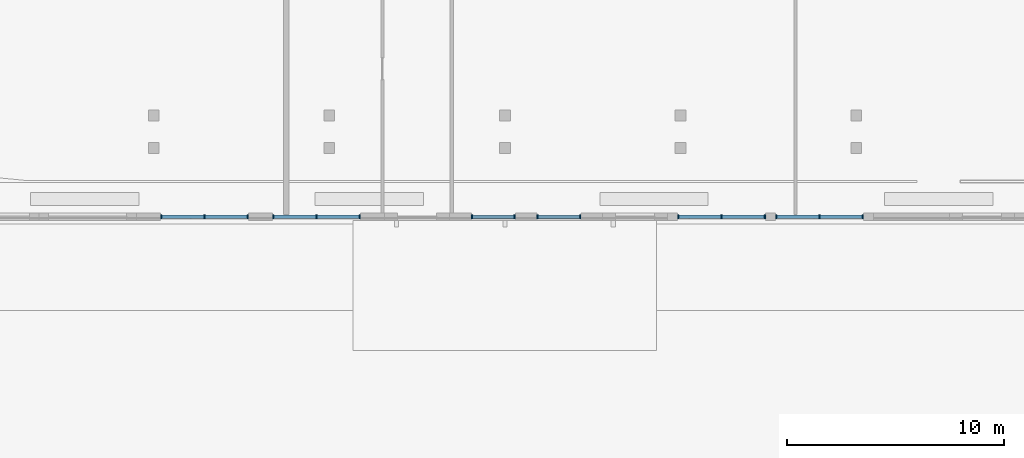
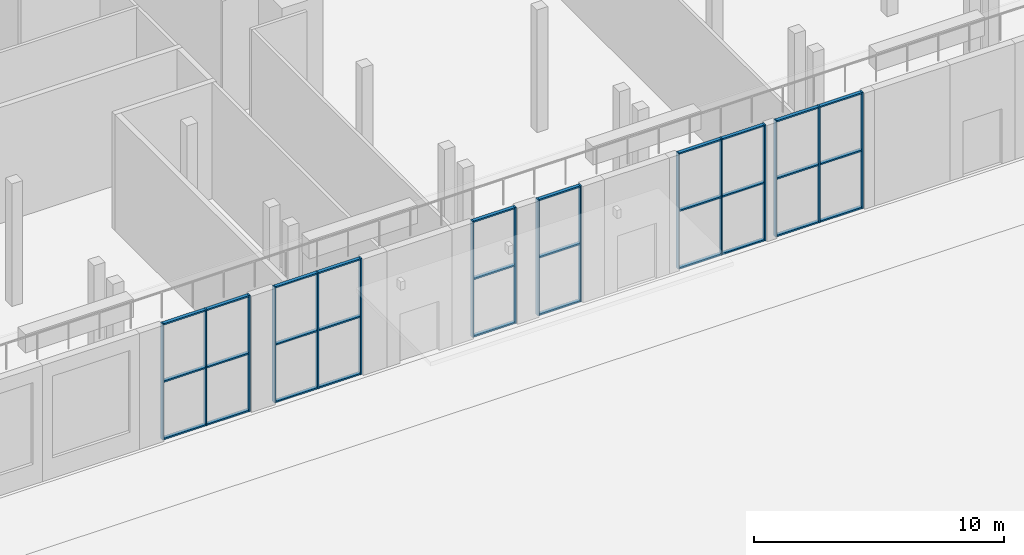
# One storey, part 2 of 32: 46 members, 6 elements without a shape of their own.
"""IFC4 building model written with IfcOpenShell, lengths in metres."""

from ifc_helpers import new_model, si_unit, direction, frame, origin, origin_2d, place, context, subcontext, project, spatial, rectangle, extrude, material, material_profile, profile_set, type_object, element, aggregate, save


model = new_model("IFC4")

# Units and contexts
model_context = context("Model", 3, precision=1e-05, world=origin(), true_north=direction((0.0, 1.0)))
body_context = subcontext(model_context, "Body", "Model", "MODEL_VIEW")
ifc_project = project(units=[si_unit("LENGTHUNIT", "METRE"), si_unit("AREAUNIT", "SQUARE_METRE"), si_unit("VOLUMEUNIT", "CUBIC_METRE"), si_unit("PLANEANGLEUNIT", "RADIAN"), si_unit("MASSUNIT", "GRAM", prefix="KILO")], contexts=[model_context])

# Site, building, storey
site_placement = place(None, origin())
site = spatial("IfcSite", under=ifc_project, at=site_placement, CompositionType="ELEMENT")
building_placement = place(site_placement, origin())
building = spatial("IfcBuilding", under=site, at=building_placement, Name="Torre Triforio", CompositionType="ELEMENT")
storey_placement = place(building_placement, origin())
storey = spatial("IfcBuildingStorey", under=building, at=storey_placement, Name="L00", CompositionType="ELEMENT", Elevation=0.0)

# Curtain wall, members
ifc_material_1 = material(Name="Aluminium mullion and transom frame with clear laminated glass", Category="aluminium")
curtain_wall_type = type_object("IfcCurtainWallType", Name="Studio foyer curtain wall ECW2", PredefinedType="NOTDEFINED", material=ifc_material_1)
curtain_wall_1_placement = place(storey_placement, origin())
curtain_wall_1 = element("IfcCurtainWall", 1, at=curtain_wall_1_placement, inside=storey, type_object=curtain_wall_type, Name="Studio foyer curtain wall L00 36.1.2.1", PredefinedType="NOTDEFINED")
ifc_material_2 = material(Name="Anodised aluminium extrusion", Category="aluminium")
ifc_material_profile_1 = material_profile(ifc_material_2, rectangle(XDim=0.179931640625, YDim=0.06005859375, at=origin_2d()), Name="ECW2 MULLION 60x180")
ifc_profile_set_1 = profile_set([ifc_material_profile_1], Name="Anodised aluminium extrusion")
member_type_1 = type_object("IfcMemberType", Name="ECW2 mullion 60 x 180", PredefinedType="MULLION", material=ifc_profile_set_1)
member_1_placement = place(storey_placement, frame((-15.853271484375, -43.675048828125, 0.0), z_axis=(0.0, 0.0, 1.0), x_axis=(0.0, 1.0, 0.0)))
member_1 = element("IfcMember", 2, at=member_1_placement, type_object=member_type_1, Name="ECW2 mullion 1", PredefinedType="MULLION", context=body_context, shape_type="SweptSolid", body=[
    extrude(rectangle(XDim=0.179931640625, YDim=0.06005859375, at=origin_2d()), origin(), (0.0, 0.0, 1.0), 5.679931640625),
])
member_2_placement = place(storey_placement, frame((-13.8583984375, -43.675048828125, 0.0), z_axis=(0.0, 0.0, 1.0), x_axis=(0.0, 1.0, 0.0)))
member_2 = element("IfcMember", 3, at=member_2_placement, type_object=member_type_1, Name="ECW2 mullion 2", PredefinedType="MULLION", context=body_context, shape_type="SweptSolid", body=[
    extrude(rectangle(XDim=0.179931640625, YDim=0.06005859375, at=origin_2d()), origin(), (0.0, 0.0, 1.0), 5.679931640625),
])
member_3_placement = place(storey_placement, frame((-11.86328125, -43.675048828125, 0.0), z_axis=(0.0, 0.0, 1.0), x_axis=(0.0, 1.0, 0.0)))
member_3 = element("IfcMember", 4, at=member_3_placement, type_object=member_type_1, Name="ECW2 mullion 3", PredefinedType="MULLION", context=body_context, shape_type="SweptSolid", body=[
    extrude(rectangle(XDim=0.179931640625, YDim=0.06005859375, at=origin_2d()), origin(), (0.0, 0.0, 1.0), 5.679931640625),
])

curtain_wall_2_placement = place(storey_placement, origin())
curtain_wall_2 = element("IfcCurtainWall", 5, at=curtain_wall_2_placement, inside=storey, type_object=curtain_wall_type, Name="Studio foyer curtain wall L00 36.1.2.2", PredefinedType="NOTDEFINED")
member_4_placement = place(storey_placement, frame((-10.686767578125, -43.675048828125, 0.0), z_axis=(0.0, 0.0, 1.0), x_axis=(0.0, 1.0, 0.0)))
member_4 = element("IfcMember", 6, at=member_4_placement, type_object=member_type_1, Name="ECW2 mullion 1", PredefinedType="MULLION", context=body_context, shape_type="SweptSolid", body=[
    extrude(rectangle(XDim=0.179931640625, YDim=0.06005859375, at=origin_2d()), origin(), (0.0, 0.0, 1.0), 5.679931640625),
])
member_5_placement = place(storey_placement, frame((-8.691650390625, -43.675048828125, 0.0), z_axis=(0.0, 0.0, 1.0), x_axis=(0.0, 1.0, 0.0)))
member_5 = element("IfcMember", 7, at=member_5_placement, type_object=member_type_1, Name="ECW2 mullion 2", PredefinedType="MULLION", context=body_context, shape_type="SweptSolid", body=[
    extrude(rectangle(XDim=0.179931640625, YDim=0.06005859375, at=origin_2d()), origin(), (0.0, 0.0, 1.0), 5.679931640625),
])
member_6_placement = place(storey_placement, frame((-6.69677734375, -43.675048828125, 0.0), z_axis=(0.0, 0.0, 1.0), x_axis=(0.0, 1.0, 0.0)))
member_6 = element("IfcMember", 8, at=member_6_placement, type_object=member_type_1, Name="ECW2 mullion 3", PredefinedType="MULLION", context=body_context, shape_type="SweptSolid", body=[
    extrude(rectangle(XDim=0.179931640625, YDim=0.06005859375, at=origin_2d()), origin(), (0.0, 0.0, 1.0), 5.679931640625),
])

curtain_wall_3_placement = place(storey_placement, origin())
curtain_wall_3 = element("IfcCurtainWall", 9, at=curtain_wall_3_placement, inside=storey, type_object=curtain_wall_type, Name="Studio foyer curtain wall L00 36.3.1.1", PredefinedType="NOTDEFINED")
member_7_placement = place(storey_placement, frame((-1.52001953125, -43.675048828125, 0.0), z_axis=(0.0, 0.0, 1.0), x_axis=(0.0, 1.0, 0.0)))
member_7 = element("IfcMember", 10, at=member_7_placement, type_object=member_type_1, Name="ECW2 mullion 1", PredefinedType="MULLION", context=body_context, shape_type="SweptSolid", body=[
    extrude(rectangle(XDim=0.179931640625, YDim=0.06005859375, at=origin_2d()), origin(), (0.0, 0.0, 1.0), 5.679931640625),
])
member_8_placement = place(storey_placement, frame((0.445068359375, -43.675048828125, 0.0), z_axis=(0.0, 0.0, 1.0), x_axis=(0.0, 1.0, 0.0)))
member_8 = element("IfcMember", 11, at=member_8_placement, type_object=member_type_1, Name="ECW2 mullion 2", PredefinedType="MULLION", context=body_context, shape_type="SweptSolid", body=[
    extrude(rectangle(XDim=0.179931640625, YDim=0.06005859375, at=origin_2d()), origin(), (0.0, 0.0, 1.0), 5.679931640625),
])

curtain_wall_4_placement = place(storey_placement, origin())
curtain_wall_4 = element("IfcCurtainWall", 12, at=curtain_wall_4_placement, inside=storey, type_object=curtain_wall_type, Name="Studio foyer curtain wall L00 36.3.1.2", PredefinedType="NOTDEFINED")
member_9_placement = place(storey_placement, frame((1.5048828125, -43.675048828125, 0.0), z_axis=(0.0, 0.0, 1.0), x_axis=(0.0, 1.0, 0.0)))
member_9 = element("IfcMember", 13, at=member_9_placement, type_object=member_type_1, Name="ECW2 mullion 1", PredefinedType="MULLION", context=body_context, shape_type="SweptSolid", body=[
    extrude(rectangle(XDim=0.179931640625, YDim=0.06005859375, at=origin_2d()), origin(), (0.0, 0.0, 1.0), 5.679931640625),
])
member_10_placement = place(storey_placement, frame((3.469970703125, -43.675048828125, 0.0), z_axis=(0.0, 0.0, 1.0), x_axis=(0.0, 1.0, 0.0)))
member_10 = element("IfcMember", 14, at=member_10_placement, type_object=member_type_1, Name="ECW2 mullion 2", PredefinedType="MULLION", context=body_context, shape_type="SweptSolid", body=[
    extrude(rectangle(XDim=0.179931640625, YDim=0.06005859375, at=origin_2d()), origin(), (0.0, 0.0, 1.0), 5.679931640625),
])

curtain_wall_5_placement = place(storey_placement, origin())
curtain_wall_5 = element("IfcCurtainWall", 15, at=curtain_wall_5_placement, inside=storey, type_object=curtain_wall_type, Name="Studio foyer curtain wall L00 36.5.1.1", PredefinedType="NOTDEFINED")
member_11_placement = place(storey_placement, frame((7.99658203125, -43.675048828125, 0.0), z_axis=(0.0, 0.0, 1.0), x_axis=(0.0, 1.0, 0.0)))
member_11 = element("IfcMember", 16, at=member_11_placement, type_object=member_type_1, Name="ECW2 mullion 1", PredefinedType="MULLION", context=body_context, shape_type="SweptSolid", body=[
    extrude(rectangle(XDim=0.179931640625, YDim=0.06005859375, at=origin_2d()), origin(), (0.0, 0.0, 1.0), 5.679931640625),
])
member_12_placement = place(storey_placement, frame((9.99169921875, -43.675048828125, 0.0), z_axis=(0.0, 0.0, 1.0), x_axis=(0.0, 1.0, 0.0)))
member_12 = element("IfcMember", 17, at=member_12_placement, type_object=member_type_1, Name="ECW2 mullion 2", PredefinedType="MULLION", context=body_context, shape_type="SweptSolid", body=[
    extrude(rectangle(XDim=0.179931640625, YDim=0.06005859375, at=origin_2d()), origin(), (0.0, 0.0, 1.0), 5.679931640625),
])
member_13_placement = place(storey_placement, frame((11.98681640625, -43.675048828125, 0.0), z_axis=(0.0, 0.0, 1.0), x_axis=(0.0, 1.0, 0.0)))
member_13 = element("IfcMember", 18, at=member_13_placement, type_object=member_type_1, Name="ECW2 mullion 3", PredefinedType="MULLION", context=body_context, shape_type="SweptSolid", body=[
    extrude(rectangle(XDim=0.179931640625, YDim=0.06005859375, at=origin_2d()), origin(), (0.0, 0.0, 1.0), 5.679931640625),
])

curtain_wall_6_placement = place(storey_placement, origin())
curtain_wall_6 = element("IfcCurtainWall", 19, at=curtain_wall_6_placement, inside=storey, type_object=curtain_wall_type, Name="Studio foyer curtain wall L00 36.5.1.2", PredefinedType="NOTDEFINED")
member_14_placement = place(storey_placement, frame((12.51318359375, -43.675048828125, 0.0), z_axis=(0.0, 0.0, 1.0), x_axis=(0.0, 1.0, 0.0)))
member_14 = element("IfcMember", 20, at=member_14_placement, type_object=member_type_1, Name="ECW2 mullion 1", PredefinedType="MULLION", context=body_context, shape_type="SweptSolid", body=[
    extrude(rectangle(XDim=0.179931640625, YDim=0.06005859375, at=origin_2d()), origin(), (0.0, 0.0, 1.0), 5.679931640625),
])
member_15_placement = place(storey_placement, frame((14.50830078125, -43.675048828125, 0.0), z_axis=(0.0, 0.0, 1.0), x_axis=(0.0, 1.0, 0.0)))
member_15 = element("IfcMember", 21, at=member_15_placement, type_object=member_type_1, Name="ECW2 mullion 2", PredefinedType="MULLION", context=body_context, shape_type="SweptSolid", body=[
    extrude(rectangle(XDim=0.179931640625, YDim=0.06005859375, at=origin_2d()), origin(), (0.0, 0.0, 1.0), 5.679931640625),
])
member_16_placement = place(storey_placement, frame((16.50341796875, -43.675048828125, 0.0), z_axis=(0.0, 0.0, 1.0), x_axis=(0.0, 1.0, 0.0)))
member_16 = element("IfcMember", 22, at=member_16_placement, type_object=member_type_1, Name="ECW2 mullion 3", PredefinedType="MULLION", context=body_context, shape_type="SweptSolid", body=[
    extrude(rectangle(XDim=0.179931640625, YDim=0.06005859375, at=origin_2d()), origin(), (0.0, 0.0, 1.0), 5.679931640625),
])

# Member
ifc_material_profile_2 = material_profile(ifc_material_2, rectangle(XDim=0.159912109375, YDim=0.070068359375, at=origin_2d()), Name="ECW2 TRANSOM 70x160")
ifc_profile_set_2 = profile_set([ifc_material_profile_2], Name="Anodised aluminium extrusion")
member_type_2 = type_object("IfcMemberType", Name="ECW2 transom 70 x 160", PredefinedType="USERDEFINED", material=ifc_profile_set_2)
member_17_placement = place(storey_placement, frame((-15.8232421875, -43.675048828125, 0.034912109375), z_axis=(1.0, 0.0, 0.0), x_axis=(0.0, 1.0, 0.0)))
member_17 = element("IfcMember", 23, at=member_17_placement, type_object=member_type_2, Name="ECW2 transom 1.1", ObjectType="TRANSOM", PredefinedType="USERDEFINED", context=body_context, shape_type="SweptSolid", body=[
    extrude(rectangle(XDim=0.159912109375, YDim=0.070068359375, at=origin_2d()), origin(), (0.0, 0.0, 1.0), 1.93505859375),
])

member_18_placement = place(storey_placement, frame((-15.8232421875, -43.675048828125, 2.840087890625), z_axis=(1.0, 0.0, 0.0), x_axis=(0.0, 1.0, 0.0)))
member_18 = element("IfcMember", 24, at=member_18_placement, type_object=member_type_2, Name="ECW2 transom 1.2", ObjectType="TRANSOM", PredefinedType="USERDEFINED", context=body_context, shape_type="SweptSolid", body=[
    extrude(rectangle(XDim=0.159912109375, YDim=0.070068359375, at=origin_2d()), origin(), (0.0, 0.0, 1.0), 1.93505859375),
])

member_19_placement = place(storey_placement, frame((-15.8232421875, -43.675048828125, 5.64501953125), z_axis=(1.0, 0.0, 0.0), x_axis=(0.0, 1.0, 0.0)))
member_19 = element("IfcMember", 25, at=member_19_placement, type_object=member_type_2, Name="ECW2 transom 1.3", ObjectType="TRANSOM", PredefinedType="USERDEFINED", context=body_context, shape_type="SweptSolid", body=[
    extrude(rectangle(XDim=0.159912109375, YDim=0.070068359375, at=origin_2d()), origin(), (0.0, 0.0, 1.0), 1.93505859375),
])

member_20_placement = place(storey_placement, frame((-13.828369140625, -43.675048828125, 0.034912109375), z_axis=(1.0, 0.0, 0.0), x_axis=(0.0, 1.0, 0.0)))
member_20 = element("IfcMember", 26, at=member_20_placement, type_object=member_type_2, Name="ECW2 transom 2.1", ObjectType="TRANSOM", PredefinedType="USERDEFINED", context=body_context, shape_type="SweptSolid", body=[
    extrude(rectangle(XDim=0.159912109375, YDim=0.070068359375, at=origin_2d()), origin(), (0.0, 0.0, 1.0), 1.93505859375),
])

member_21_placement = place(storey_placement, frame((-13.828369140625, -43.675048828125, 2.840087890625), z_axis=(1.0, 0.0, 0.0), x_axis=(0.0, 1.0, 0.0)))
member_21 = element("IfcMember", 27, at=member_21_placement, type_object=member_type_2, Name="ECW2 transom 2.2", ObjectType="TRANSOM", PredefinedType="USERDEFINED", context=body_context, shape_type="SweptSolid", body=[
    extrude(rectangle(XDim=0.159912109375, YDim=0.070068359375, at=origin_2d()), origin(), (0.0, 0.0, 1.0), 1.93505859375),
])

member_22_placement = place(storey_placement, frame((-13.828369140625, -43.675048828125, 5.64501953125), z_axis=(1.0, 0.0, 0.0), x_axis=(0.0, 1.0, 0.0)))
member_22 = element("IfcMember", 28, at=member_22_placement, type_object=member_type_2, Name="ECW2 transom 2.3", ObjectType="TRANSOM", PredefinedType="USERDEFINED", context=body_context, shape_type="SweptSolid", body=[
    extrude(rectangle(XDim=0.159912109375, YDim=0.070068359375, at=origin_2d()), origin(), (0.0, 0.0, 1.0), 1.93505859375),
])

aggregate(curtain_wall_1, [member_1, member_2, member_3, member_17, member_18, member_19, member_20, member_21, member_22])

member_23_placement = place(storey_placement, frame((-10.65673828125, -43.675048828125, 0.034912109375), z_axis=(1.0, 0.0, 0.0), x_axis=(0.0, 1.0, 0.0)))
member_23 = element("IfcMember", 29, at=member_23_placement, type_object=member_type_2, Name="ECW2 transom 1.1", ObjectType="TRANSOM", PredefinedType="USERDEFINED", context=body_context, shape_type="SweptSolid", body=[
    extrude(rectangle(XDim=0.159912109375, YDim=0.070068359375, at=origin_2d()), origin(), (0.0, 0.0, 1.0), 1.93505859375),
])

member_24_placement = place(storey_placement, frame((-10.65673828125, -43.675048828125, 2.840087890625), z_axis=(1.0, 0.0, 0.0), x_axis=(0.0, 1.0, 0.0)))
member_24 = element("IfcMember", 30, at=member_24_placement, type_object=member_type_2, Name="ECW2 transom 1.2", ObjectType="TRANSOM", PredefinedType="USERDEFINED", context=body_context, shape_type="SweptSolid", body=[
    extrude(rectangle(XDim=0.159912109375, YDim=0.070068359375, at=origin_2d()), origin(), (0.0, 0.0, 1.0), 1.93505859375),
])

member_25_placement = place(storey_placement, frame((-10.65673828125, -43.675048828125, 5.64501953125), z_axis=(1.0, 0.0, 0.0), x_axis=(0.0, 1.0, 0.0)))
member_25 = element("IfcMember", 31, at=member_25_placement, type_object=member_type_2, Name="ECW2 transom 1.3", ObjectType="TRANSOM", PredefinedType="USERDEFINED", context=body_context, shape_type="SweptSolid", body=[
    extrude(rectangle(XDim=0.159912109375, YDim=0.070068359375, at=origin_2d()), origin(), (0.0, 0.0, 1.0), 1.93505859375),
])

member_26_placement = place(storey_placement, frame((-8.66162109375, -43.675048828125, 0.034912109375), z_axis=(1.0, 0.0, 0.0), x_axis=(0.0, 1.0, 0.0)))
member_26 = element("IfcMember", 32, at=member_26_placement, type_object=member_type_2, Name="ECW2 transom 2.1", ObjectType="TRANSOM", PredefinedType="USERDEFINED", context=body_context, shape_type="SweptSolid", body=[
    extrude(rectangle(XDim=0.159912109375, YDim=0.070068359375, at=origin_2d()), origin(), (0.0, 0.0, 1.0), 1.934814453125),
])

member_27_placement = place(storey_placement, frame((-8.66162109375, -43.675048828125, 2.840087890625), z_axis=(1.0, 0.0, 0.0), x_axis=(0.0, 1.0, 0.0)))
member_27 = element("IfcMember", 33, at=member_27_placement, type_object=member_type_2, Name="ECW2 transom 2.2", ObjectType="TRANSOM", PredefinedType="USERDEFINED", context=body_context, shape_type="SweptSolid", body=[
    extrude(rectangle(XDim=0.159912109375, YDim=0.070068359375, at=origin_2d()), origin(), (0.0, 0.0, 1.0), 1.934814453125),
])

member_28_placement = place(storey_placement, frame((-8.66162109375, -43.675048828125, 5.64501953125), z_axis=(1.0, 0.0, 0.0), x_axis=(0.0, 1.0, 0.0)))
member_28 = element("IfcMember", 34, at=member_28_placement, type_object=member_type_2, Name="ECW2 transom 2.3", ObjectType="TRANSOM", PredefinedType="USERDEFINED", context=body_context, shape_type="SweptSolid", body=[
    extrude(rectangle(XDim=0.159912109375, YDim=0.070068359375, at=origin_2d()), origin(), (0.0, 0.0, 1.0), 1.934814453125),
])

aggregate(curtain_wall_2, [member_4, member_5, member_6, member_23, member_24, member_25, member_26, member_27, member_28])

member_29_placement = place(storey_placement, frame((-1.489990234375, -43.675048828125, 0.034912109375), z_axis=(1.0, 0.0, 0.0), x_axis=(0.0, 1.0, 0.0)))
member_29 = element("IfcMember", 35, at=member_29_placement, type_object=member_type_2, Name="ECW2 transom 1.1", ObjectType="TRANSOM", PredefinedType="USERDEFINED", context=body_context, shape_type="SweptSolid", body=[
    extrude(rectangle(XDim=0.159912109375, YDim=0.070068359375, at=origin_2d()), origin(), (0.0, 0.0, 1.0), 1.905029296875),
])

member_30_placement = place(storey_placement, frame((-1.489990234375, -43.675048828125, 2.840087890625), z_axis=(1.0, 0.0, 0.0), x_axis=(0.0, 1.0, 0.0)))
member_30 = element("IfcMember", 36, at=member_30_placement, type_object=member_type_2, Name="ECW2 transom 1.2", ObjectType="TRANSOM", PredefinedType="USERDEFINED", context=body_context, shape_type="SweptSolid", body=[
    extrude(rectangle(XDim=0.159912109375, YDim=0.070068359375, at=origin_2d()), origin(), (0.0, 0.0, 1.0), 1.905029296875),
])

member_31_placement = place(storey_placement, frame((-1.489990234375, -43.675048828125, 5.64501953125), z_axis=(1.0, 0.0, 0.0), x_axis=(0.0, 1.0, 0.0)))
member_31 = element("IfcMember", 37, at=member_31_placement, type_object=member_type_2, Name="ECW2 transom 1.3", ObjectType="TRANSOM", PredefinedType="USERDEFINED", context=body_context, shape_type="SweptSolid", body=[
    extrude(rectangle(XDim=0.159912109375, YDim=0.070068359375, at=origin_2d()), origin(), (0.0, 0.0, 1.0), 1.905029296875),
])

aggregate(curtain_wall_3, [member_7, member_8, member_29, member_30, member_31])

member_32_placement = place(storey_placement, frame((1.534912109375, -43.675048828125, 0.034912109375), z_axis=(1.0, 0.0, 0.0), x_axis=(0.0, 1.0, 0.0)))
member_32 = element("IfcMember", 38, at=member_32_placement, type_object=member_type_2, Name="ECW2 transom 1.1", ObjectType="TRANSOM", PredefinedType="USERDEFINED", context=body_context, shape_type="SweptSolid", body=[
    extrude(rectangle(XDim=0.159912109375, YDim=0.070068359375, at=origin_2d()), origin(), (0.0, 0.0, 1.0), 1.905029296875),
])

member_33_placement = place(storey_placement, frame((1.534912109375, -43.675048828125, 2.840087890625), z_axis=(1.0, 0.0, 0.0), x_axis=(0.0, 1.0, 0.0)))
member_33 = element("IfcMember", 39, at=member_33_placement, type_object=member_type_2, Name="ECW2 transom 1.2", ObjectType="TRANSOM", PredefinedType="USERDEFINED", context=body_context, shape_type="SweptSolid", body=[
    extrude(rectangle(XDim=0.159912109375, YDim=0.070068359375, at=origin_2d()), origin(), (0.0, 0.0, 1.0), 1.905029296875),
])

member_34_placement = place(storey_placement, frame((1.534912109375, -43.675048828125, 5.64501953125), z_axis=(1.0, 0.0, 0.0), x_axis=(0.0, 1.0, 0.0)))
member_34 = element("IfcMember", 40, at=member_34_placement, type_object=member_type_2, Name="ECW2 transom 1.3", ObjectType="TRANSOM", PredefinedType="USERDEFINED", context=body_context, shape_type="SweptSolid", body=[
    extrude(rectangle(XDim=0.159912109375, YDim=0.070068359375, at=origin_2d()), origin(), (0.0, 0.0, 1.0), 1.905029296875),
])

aggregate(curtain_wall_4, [member_9, member_10, member_32, member_33, member_34])

member_35_placement = place(storey_placement, frame((8.026611328125, -43.675048828125, 0.034912109375), z_axis=(1.0, 0.0, 0.0), x_axis=(0.0, 1.0, 0.0)))
member_35 = element("IfcMember", 41, at=member_35_placement, type_object=member_type_2, Name="ECW2 transom 1.1", ObjectType="TRANSOM", PredefinedType="USERDEFINED", context=body_context, shape_type="SweptSolid", body=[
    extrude(rectangle(XDim=0.159912109375, YDim=0.070068359375, at=origin_2d()), origin(), (0.0, 0.0, 1.0), 1.93505859375),
])

member_36_placement = place(storey_placement, frame((8.026611328125, -43.675048828125, 2.840087890625), z_axis=(1.0, 0.0, 0.0), x_axis=(0.0, 1.0, 0.0)))
member_36 = element("IfcMember", 42, at=member_36_placement, type_object=member_type_2, Name="ECW2 transom 1.2", ObjectType="TRANSOM", PredefinedType="USERDEFINED", context=body_context, shape_type="SweptSolid", body=[
    extrude(rectangle(XDim=0.159912109375, YDim=0.070068359375, at=origin_2d()), origin(), (0.0, 0.0, 1.0), 1.93505859375),
])

member_37_placement = place(storey_placement, frame((8.026611328125, -43.675048828125, 5.64501953125), z_axis=(1.0, 0.0, 0.0), x_axis=(0.0, 1.0, 0.0)))
member_37 = element("IfcMember", 43, at=member_37_placement, type_object=member_type_2, Name="ECW2 transom 1.3", ObjectType="TRANSOM", PredefinedType="USERDEFINED", context=body_context, shape_type="SweptSolid", body=[
    extrude(rectangle(XDim=0.159912109375, YDim=0.070068359375, at=origin_2d()), origin(), (0.0, 0.0, 1.0), 1.93505859375),
])

member_38_placement = place(storey_placement, frame((10.021728515625, -43.675048828125, 0.034912109375), z_axis=(1.0, 0.0, 0.0), x_axis=(0.0, 1.0, 0.0)))
member_38 = element("IfcMember", 44, at=member_38_placement, type_object=member_type_2, Name="ECW2 transom 2.1", ObjectType="TRANSOM", PredefinedType="USERDEFINED", context=body_context, shape_type="SweptSolid", body=[
    extrude(rectangle(XDim=0.159912109375, YDim=0.070068359375, at=origin_2d()), origin(), (0.0, 0.0, 1.0), 1.93505859375),
])

member_39_placement = place(storey_placement, frame((10.021728515625, -43.675048828125, 2.840087890625), z_axis=(1.0, 0.0, 0.0), x_axis=(0.0, 1.0, 0.0)))
member_39 = element("IfcMember", 45, at=member_39_placement, type_object=member_type_2, Name="ECW2 transom 2.2", ObjectType="TRANSOM", PredefinedType="USERDEFINED", context=body_context, shape_type="SweptSolid", body=[
    extrude(rectangle(XDim=0.159912109375, YDim=0.070068359375, at=origin_2d()), origin(), (0.0, 0.0, 1.0), 1.93505859375),
])

member_40_placement = place(storey_placement, frame((10.021728515625, -43.675048828125, 5.64501953125), z_axis=(1.0, 0.0, 0.0), x_axis=(0.0, 1.0, 0.0)))
member_40 = element("IfcMember", 46, at=member_40_placement, type_object=member_type_2, Name="ECW2 transom 2.3", ObjectType="TRANSOM", PredefinedType="USERDEFINED", context=body_context, shape_type="SweptSolid", body=[
    extrude(rectangle(XDim=0.159912109375, YDim=0.070068359375, at=origin_2d()), origin(), (0.0, 0.0, 1.0), 1.93505859375),
])

aggregate(curtain_wall_5, [member_11, member_12, member_13, member_35, member_36, member_37, member_38, member_39, member_40])

member_41_placement = place(storey_placement, frame((12.543212890625, -43.675048828125, 0.034912109375), z_axis=(1.0, 0.0, 0.0), x_axis=(0.0, 1.0, 0.0)))
member_41 = element("IfcMember", 47, at=member_41_placement, type_object=member_type_2, Name="ECW2 transom 1.1", ObjectType="TRANSOM", PredefinedType="USERDEFINED", context=body_context, shape_type="SweptSolid", body=[
    extrude(rectangle(XDim=0.159912109375, YDim=0.070068359375, at=origin_2d()), origin(), (0.0, 0.0, 1.0), 1.93505859375),
])

member_42_placement = place(storey_placement, frame((12.543212890625, -43.675048828125, 2.840087890625), z_axis=(1.0, 0.0, 0.0), x_axis=(0.0, 1.0, 0.0)))
member_42 = element("IfcMember", 48, at=member_42_placement, type_object=member_type_2, Name="ECW2 transom 1.2", ObjectType="TRANSOM", PredefinedType="USERDEFINED", context=body_context, shape_type="SweptSolid", body=[
    extrude(rectangle(XDim=0.159912109375, YDim=0.070068359375, at=origin_2d()), origin(), (0.0, 0.0, 1.0), 1.93505859375),
])

member_43_placement = place(storey_placement, frame((12.543212890625, -43.675048828125, 5.64501953125), z_axis=(1.0, 0.0, 0.0), x_axis=(0.0, 1.0, 0.0)))
member_43 = element("IfcMember", 49, at=member_43_placement, type_object=member_type_2, Name="ECW2 transom 1.3", ObjectType="TRANSOM", PredefinedType="USERDEFINED", context=body_context, shape_type="SweptSolid", body=[
    extrude(rectangle(XDim=0.159912109375, YDim=0.070068359375, at=origin_2d()), origin(), (0.0, 0.0, 1.0), 1.93505859375),
])

member_44_placement = place(storey_placement, frame((14.538330078125, -43.675048828125, 0.034912109375), z_axis=(1.0, 0.0, 0.0), x_axis=(0.0, 1.0, 0.0)))
member_44 = element("IfcMember", 50, at=member_44_placement, type_object=member_type_2, Name="ECW2 transom 2.1", ObjectType="TRANSOM", PredefinedType="USERDEFINED", context=body_context, shape_type="SweptSolid", body=[
    extrude(rectangle(XDim=0.159912109375, YDim=0.070068359375, at=origin_2d()), origin(), (0.0, 0.0, 1.0), 1.93505859375),
])

member_45_placement = place(storey_placement, frame((14.538330078125, -43.675048828125, 2.840087890625), z_axis=(1.0, 0.0, 0.0), x_axis=(0.0, 1.0, 0.0)))
member_45 = element("IfcMember", 51, at=member_45_placement, type_object=member_type_2, Name="ECW2 transom 2.2", ObjectType="TRANSOM", PredefinedType="USERDEFINED", context=body_context, shape_type="SweptSolid", body=[
    extrude(rectangle(XDim=0.159912109375, YDim=0.070068359375, at=origin_2d()), origin(), (0.0, 0.0, 1.0), 1.93505859375),
])

member_46_placement = place(storey_placement, frame((14.538330078125, -43.675048828125, 5.64501953125), z_axis=(1.0, 0.0, 0.0), x_axis=(0.0, 1.0, 0.0)))
member_46 = element("IfcMember", 52, at=member_46_placement, type_object=member_type_2, Name="ECW2 transom 2.3", ObjectType="TRANSOM", PredefinedType="USERDEFINED", context=body_context, shape_type="SweptSolid", body=[
    extrude(rectangle(XDim=0.159912109375, YDim=0.070068359375, at=origin_2d()), origin(), (0.0, 0.0, 1.0), 1.93505859375),
])

aggregate(curtain_wall_6, [member_14, member_15, member_16, member_41, member_42, member_43, member_44, member_45, member_46])

save(model, "model.ifc")
